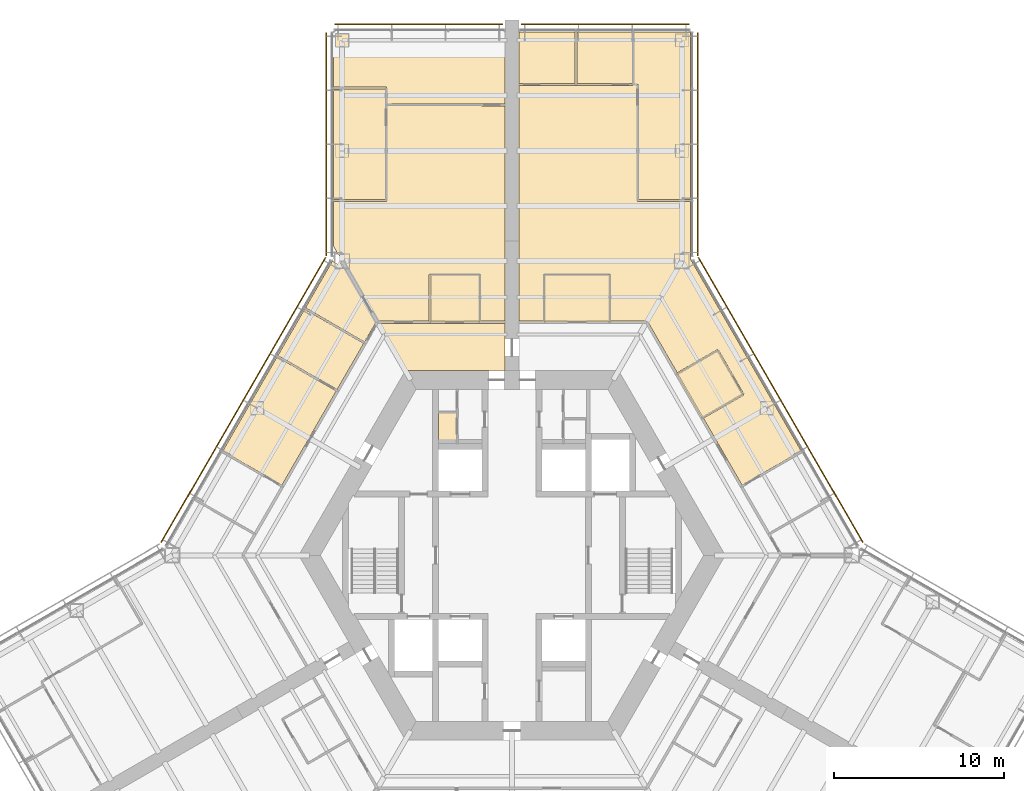
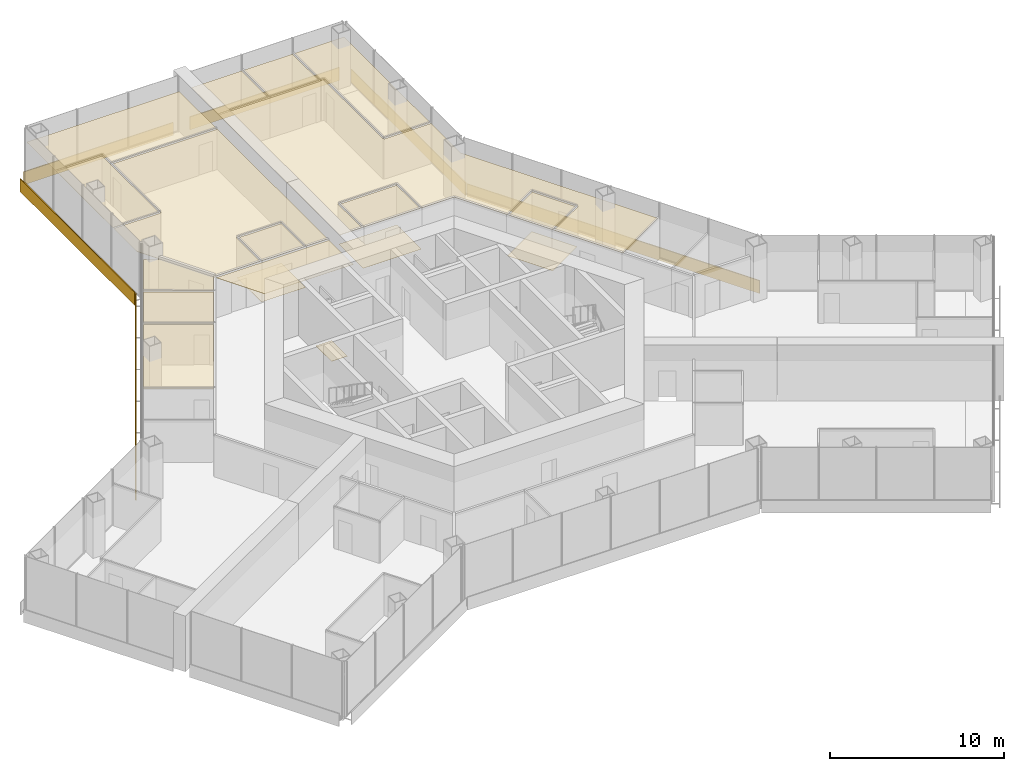
# One storey, part 19 of 19: 18 coverings, 6 shading devices.
"""IFC4 building model written with IfcOpenShell, lengths in metres."""

from ifc_helpers import new_model, si_unit, direction, frame, origin, origin_2d, place, context, subcontext, project, spatial, polyline, rectangle, outline, extrude, material, layer, layer_set, type_object, element, save


model = new_model("IFC4")

# Units and contexts
model_context = context("Model", 3, precision=1e-05, world=origin(), true_north=direction((0.0, 1.0)))
body_context = subcontext(model_context, "Body", "Model", "MODEL_VIEW")
ifc_project = project(units=[si_unit("LENGTHUNIT", "METRE"), si_unit("AREAUNIT", "SQUARE_METRE"), si_unit("VOLUMEUNIT", "CUBIC_METRE"), si_unit("PLANEANGLEUNIT", "RADIAN"), si_unit("MASSUNIT", "GRAM", prefix="KILO")], contexts=[model_context])

# Site, building, storey
site_placement = place(None, origin())
site = spatial("IfcSite", under=ifc_project, at=site_placement, CompositionType="ELEMENT")
building_placement = place(site_placement, origin())
building = spatial("IfcBuilding", under=site, at=building_placement, Name="Kasaneha Research Tower", CompositionType="ELEMENT")
storey_placement = place(building_placement, frame((0.0, 0.0, 96.300048828125)))
storey = spatial("IfcBuildingStorey", under=building, at=storey_placement, Name="L24", CompositionType="ELEMENT", Elevation=96.300048828125)

# Coverings
ifc_material_1 = material(Name="Gypsum ceiling board", Category="gypsum")
ifc_layer_1 = layer(ifc_material_1, 0.02001953125)
ifc_layer_set_1 = layer_set([ifc_layer_1], Name="Suspended ceiling 20")
covering_type_1 = type_object("IfcCoveringType", Name="Suspended ceiling 20", PredefinedType="CEILING", material=ifc_layer_set_1)
covering_1_placement = place(storey_placement, frame((0.0, 0.0, 2.800048828125)))
element("IfcCovering", 1, at=covering_1_placement, inside=storey, type_object=covering_type_1, Name="Ceiling L24-27", PredefinedType="CEILING", context=body_context, shape_type="SweptSolid", body=[
    extrude(outline(polyline([(1.954345703125, 13.800048828125), (1.9501953125, 16.47509765625), (5.70703125, 16.47509765625), (5.70263671875, 13.800048828125), (1.954345703125, 13.800048828125)])), origin(), (0.0, 0.0, 1.0), 0.02001953125),
])
covering_2_placement = place(storey_placement, frame((0.0, 0.0, 2.800048828125)))
element("IfcCovering", 2, at=covering_2_placement, inside=storey, type_object=covering_type_1, Name="Ceiling L24-28", PredefinedType="CEILING", context=body_context, shape_type="SweptSolid", body=[
    extrude(outline(polyline([(9.7783203125, 10.663330078125), (12.0927734375, 12.004638671875), (13.542724609375, 9.4931640625), (11.223876953125, 8.159423828125), (9.7783203125, 10.663330078125)])), origin(), (0.0, 0.0, 1.0), 0.02001953125),
])
covering_3_placement = place(storey_placement, frame((0.0, 0.0, 2.800048828125)))
element("IfcCovering", 3, at=covering_3_placement, inside=storey, type_object=covering_type_1, Name="Ceiling L24-29", PredefinedType="CEILING", context=body_context, shape_type="SweptSolid", body=[
    extrude(outline(polyline([(7.39892578125, 27.719482421875), (7.13330078125, 27.719970703125), (7.13330078125, 27.719970703125), (7.188232421875, 27.719970703125), (7.18359375, 30.800537109375), (7.1337890625, 30.800537109375), (7.1337890625, 30.821044921875), (10.50048828125, 30.820556640625), (10.5, 20.89111328125), (10.5, 20.941162109375), (7.449951171875, 20.941162109375), (7.448974609375, 27.719482421875), (7.39892578125, 27.719482421875), (7.39892578125, 27.719482421875)])), origin(), (0.0, 0.0, 1.0), 0.02001953125),
])
covering_4_placement = place(storey_placement, frame((0.0, 0.0, 2.800048828125)))
element("IfcCovering", 4, at=covering_4_placement, inside=storey, type_object=covering_type_1, Name="Ceiling L24-30", PredefinedType="CEILING", context=body_context, shape_type="SweptSolid", body=[
    extrude(outline(polyline([(7.13330078125, 30.820556640625), (7.13330078125, 30.800537109375), (7.083740234375, 30.800537109375), (7.088134765625, 27.7744140625), (3.821533203125, 27.77490234375), (3.816650390625, 30.800537109375), (3.7666015625, 30.800537109375), (3.7666015625, 30.820556640625), (7.13330078125, 30.820556640625)])), origin(), (0.0, 0.0, 1.0), 0.02001953125),
])
covering_5_placement = place(storey_placement, frame((0.0, 0.0, 2.800048828125)))
element("IfcCovering", 5, at=covering_5_placement, inside=storey, type_object=covering_type_1, Name="Ceiling L24-31", PredefinedType="CEILING", context=body_context, shape_type="SweptSolid", body=[
    extrude(outline(polyline([(3.7666015625, 30.820556640625), (3.7666015625, 30.800537109375), (3.716796875, 30.800537109375), (3.7216796875, 27.774658203125), (0.419921875, 27.7705078125), (0.419921875, 27.720458984375), (0.39990234375, 27.720458984375), (0.39990234375, 30.820556640625), (3.7666015625, 30.820556640625)])), origin(), (0.0, 0.0, 1.0), 0.02001953125),
])
covering_6_placement = place(storey_placement, frame((0.0, 0.0, 2.800048828125)))
element("IfcCovering", 6, at=covering_6_placement, inside=storey, type_object=covering_type_1, Name="Ceiling L24-34", PredefinedType="CEILING", context=body_context, shape_type="SweptSolid", body=[
    extrude(outline(polyline([(13.611572265625, 9.474853515625), (13.611328125, 9.47509765625), (13.654296875, 9.5), (12.154296875, 12.097900390625), (12.111572265625, 12.0732421875), (12.111328125, 12.073486328125), (12.111083984375, 12.0732421875), (12.0859375, 12.1162109375), (9.728271484375, 10.75), (7.989013671875, 13.762451171875), (7.924560546875, 13.725341796875), (7.924560546875, 13.725341796875), (7.924072265625, 13.725341796875), (7.924072265625, 13.800048828125), (5.802734375, 13.800048828125), (5.806884765625, 16.52490234375), (5.757080078125, 16.52490234375), (5.757080078125, 16.525390625), (5.757080078125, 16.525390625), (5.757080078125, 16.574951171875), (1.89990234375, 16.574951171875), (1.89990234375, 16.525390625), (1.899658203125, 16.525390625), (1.899658203125, 16.52490234375), (1.85009765625, 16.52490234375), (1.8544921875, 13.800048828125), (0.419921875, 13.800048828125), (0.419921875, 13.7255859375), (0.39990234375, 13.7255859375), (0.39990234375, 27.719970703125), (0.419921875, 27.719970703125), (0.420166015625, 27.67041015625), (3.766845703125, 27.6748046875), (7.13330078125, 27.674560546875), (7.13330078125, 27.719482421875), (7.39892578125, 27.719482421875), (7.39892578125, 27.719482421875), (7.34912109375, 27.719482421875), (7.35009765625, 20.89111328125), (7.399658203125, 20.89111328125), (7.399658203125, 20.890869140625), (7.39990234375, 20.890869140625), (7.39990234375, 20.841064453125), (10.5, 20.841064453125), (10.5, 17.45458984375), (17.055908203125, 6.09912109375), (17.055908203125, 6.09912109375), (17.03125, 6.14208984375), (13.551513671875, 4.128173828125), (11.27392578125, 8.072998046875), (13.635986328125, 9.431640625), (13.611328125, 9.474609375), (13.611572265625, 9.474853515625)])), origin(), (0.0, 0.0, 1.0), 0.02001953125),
])
covering_7_placement = place(storey_placement, frame((0.0, 0.0, 2.800048828125)))
element("IfcCovering", 7, at=covering_7_placement, inside=storey, type_object=covering_type_1, Name="Ceiling L24-35", PredefinedType="CEILING", context=body_context, shape_type="SweptSolid", body=[
    extrude(outline(polyline([(-0.39990234375, 11.72509765625), (-0.39990234375, 10.875), (-6.278564453125, 10.875), (-7.880859375, 13.64990234375), (-4.833984375, 13.64990234375), (-4.824462890625, 13.64990234375), (-1.904541015625, 13.64990234375), (-1.89501953125, 13.64990234375), (-0.419921875, 13.64990234375), (-0.419921875, 13.72509765625), (-0.39990234375, 13.72509765625), (-0.39990234375, 12.72509765625), (-0.39990234375, 11.72509765625)])), origin(), (0.0, 0.0, 1.0), 0.02001953125),
])
covering_8_placement = place(storey_placement, frame((0.0, 0.0, 2.800048828125)))
element("IfcCovering", 8, at=covering_8_placement, inside=storey, type_object=covering_type_1, Name="Ceiling L24-36", PredefinedType="CEILING", context=body_context, shape_type="SweptSolid", body=[
    extrude(outline(polyline([(-4.774658203125, 13.800048828125), (-4.77880859375, 16.47509765625), (-1.9501953125, 16.47509765625), (-1.954345703125, 13.800048828125), (-4.774658203125, 13.800048828125)])), origin(), (0.0, 0.0, 1.0), 0.02001953125),
])
covering_9_placement = place(storey_placement, frame((0.0, 0.0, 2.800048828125)))
element("IfcCovering", 9, at=covering_9_placement, inside=storey, type_object=covering_type_1, Name="Ceiling L24-37", PredefinedType="CEILING", context=body_context, shape_type="SweptSolid", body=[
    extrude(outline(polyline([(-10.5, 27.460693359375), (-7.449951171875, 27.460693359375), (-7.449951171875, 26.5244140625), (-7.449951171875, 26.514404296875), (-7.449951171875, 20.941162109375), (-10.5, 20.941162109375), (-10.5, 27.460693359375)])), origin(), (0.0, 0.0, 1.0), 0.02001953125),
])
covering_10_placement = place(storey_placement, frame((0.0, 0.0, 2.800048828125)))
element("IfcCovering", 10, at=covering_10_placement, inside=storey, type_object=covering_type_1, Name="Ceiling L24-38", PredefinedType="CEILING", context=body_context, shape_type="SweptSolid", body=[
    extrude(outline(polyline([(-0.419921875, 26.5205078125), (-0.419921875, 26.570556640625), (-7.35009765625, 26.574462890625), (-7.35009765625, 27.5107421875), (-7.39990234375, 27.5107421875), (-7.39990234375, 27.560791015625), (-10.5, 27.560791015625), (-10.5, 27.510986328125), (-10.50048828125, 27.510986328125), (-10.500244140625, 30.821044921875), (-0.39990234375, 30.820556640625), (-0.39990234375, 26.5205078125), (-0.419921875, 26.5205078125)])), origin(), (0.0, 0.0, 1.0), 0.02001953125),
])
covering_11_placement = place(storey_placement, frame((0.0, 0.0, 2.800048828125)))
element("IfcCovering", 11, at=covering_11_placement, inside=storey, type_object=covering_type_1, Name="Ceiling L24-39", PredefinedType="CEILING", context=body_context, shape_type="SweptSolid", body=[
    extrude(outline(polyline([(-1.89990234375, 16.525390625), (-1.89990234375, 16.574951171875), (-4.8291015625, 16.574951171875), (-4.8291015625, 16.525390625), (-4.8291015625, 16.52490234375), (-4.87890625, 16.52490234375), (-4.87451171875, 13.800048828125), (-7.90087890625, 13.800048828125), (-7.90087890625, 13.725341796875), (-7.92431640625, 13.725341796875), (-10.5, 18.1865234375), (-10.5, 20.841064453125), (-7.39990234375, 20.841064453125), (-7.39990234375, 20.890869140625), (-7.399658203125, 20.890869140625), (-7.399658203125, 20.89111328125), (-7.35009765625, 20.89111328125), (-7.35009765625, 26.474365234375), (-0.419921875, 26.470458984375), (-0.419921875, 26.52001953125), (-0.39990234375, 26.52001953125), (-0.39990234375, 13.7255859375), (-0.419921875, 13.7255859375), (-0.419921875, 13.800048828125), (-1.8544921875, 13.800048828125), (-1.85009765625, 16.52490234375), (-1.899658203125, 16.52490234375), (-1.899658203125, 16.525390625), (-1.89990234375, 16.525390625)])), origin(), (0.0, 0.0, 1.0), 0.02001953125),
])
covering_12_placement = place(storey_placement, frame((0.0, 0.0, 2.800048828125)))
element("IfcCovering", 12, at=covering_12_placement, inside=storey, type_object=covering_type_1, Name="Ceiling L24-45", PredefinedType="CEILING", context=body_context, shape_type="SweptSolid", body=[
    extrude(outline(polyline([(-13.809814453125, 11.7216796875), (-12.211669921875, 14.489990234375), (-8.732177734375, 12.475341796875), (-10.30078125, 9.758544921875), (-13.767578125, 11.755126953125), (-13.79248046875, 11.711669921875), (-13.809814453125, 11.7216796875)])), origin(), (0.0, 0.0, 1.0), 0.02001953125),
])
covering_13_placement = place(storey_placement, frame((0.0, 0.0, 2.800048828125)))
element("IfcCovering", 13, at=covering_13_placement, inside=storey, type_object=covering_type_1, Name="Ceiling L24-46", PredefinedType="CEILING", context=body_context, shape_type="SweptSolid", body=[
    extrude(outline(polyline([(-10.578369140625, 17.318603515625), (-9.709228515625, 16.81689453125), (-7.924072265625, 13.72509765625), (-7.935791015625, 13.705078125), (-8.000732421875, 13.742431640625), (-8.68212890625, 12.56201171875), (-12.16162109375, 14.576416015625), (-12.1865234375, 14.533203125), (-12.1865234375, 14.533203125), (-10.578369140625, 17.318603515625)])), origin(), (0.0, 0.0, 1.0), 0.02001953125),
])
covering_14_placement = place(storey_placement, frame((0.0, 0.0, 2.800048828125)))
element("IfcCovering", 14, at=covering_14_placement, inside=storey, type_object=covering_type_1, Name="Ceiling L24-48", PredefinedType="CEILING", context=body_context, shape_type="SweptSolid", body=[
    extrude(outline(polyline([(-17.055908203125, 6.09912109375), (-13.81005859375, 11.72119140625), (-13.792724609375, 11.711181640625), (-13.8173828125, 11.66845703125), (-10.350830078125, 9.671875), (-13.551513671875, 4.128173828125), (-17.03125, 6.14208984375), (-17.055908203125, 6.09912109375), (-17.055908203125, 6.09912109375)])), origin(), (0.0, 0.0, 1.0), 0.02001953125),
])

# Shading devices
ifc_material_2 = material(Name="Terracotta", Category="masonry")
ifc_layer_2 = layer(ifc_material_2, 0.06005859375)
ifc_layer_set_2 = layer_set([ifc_layer_2], Name="Terracotta baguette screen")
shading_device_type = type_object("IfcShadingDeviceType", Name="Terracotta baguette screen", PredefinedType="USERDEFINED", material=ifc_layer_set_2)
shading_device_1_placement = place(storey_placement, frame((15.82275390625, 9.13525390625, -0.449951171875), z_axis=(0.0, 0.0, 1.0), x_axis=(-0.49999996188, 0.866025425793, 0.0)))
element("IfcShadingDevice", 15, at=shading_device_1_placement, inside=storey, type_object=shading_device_type, Name="Baguette screen L24 07", ObjectType="TERRACOTTA BAGUETTE SCREEN", PredefinedType="USERDEFINED", context=body_context, shape_type="SweptSolid", body=[
    extrude(rectangle(XDim=19.37841796875, YDim=0.06005859375, at=origin_2d()), origin(), (0.0, 0.0, 1.0), 0.89990234375),
])
shading_device_2_placement = place(storey_placement, frame((10.949951171875, 24.200927734375, -0.449951171875), z_axis=(0.0, 0.0, 1.0), x_axis=(0.0, 1.0, 0.0)))
element("IfcShadingDevice", 16, at=shading_device_2_placement, inside=storey, type_object=shading_device_type, Name="Baguette screen L24 08", ObjectType="TERRACOTTA BAGUETTE SCREEN", PredefinedType="USERDEFINED", context=body_context, shape_type="SweptSolid", body=[
    extrude(rectangle(XDim=13.13916015625, YDim=0.06005859375, at=origin_2d()), origin(), (0.0, 0.0, 1.0), 0.89990234375),
])
for number, where, z_axis, x_axis, name in (
    (17, (5.5, 31.2705078125, -0.449951171875), (0.0, 0.0, 1.0), (-1.0, 0.0, 0.0), "Baguette screen L24 09"),
    (18, (-5.5, 31.2705078125, -0.449951171875), (0.0, 0.0, 1.0), (-1.0, 0.0, 0.0), "Baguette screen L24 10"),
):
    element("IfcShadingDevice", number, at=place(storey_placement, frame(where, z_axis=z_axis, x_axis=x_axis)), inside=storey, type_object=shading_device_type, Name=name, ObjectType="TERRACOTTA BAGUETTE SCREEN", PredefinedType="USERDEFINED", context=body_context, shape_type="SweptSolid", body=[
        extrude(rectangle(XDim=9.89990234375, YDim=0.06005859375, at=origin_2d()), origin(), (0.0, 0.0, 1.0), 0.89990234375),
    ])
shading_device_3_placement = place(storey_placement, frame((-10.949951171875, 24.200927734375, -0.449951171875), z_axis=(0.0, 0.0, 1.0), x_axis=(0.0, -1.0, 0.0)))
element("IfcShadingDevice", 19, at=shading_device_3_placement, inside=storey, type_object=shading_device_type, Name="Baguette screen L24 11", ObjectType="TERRACOTTA BAGUETTE SCREEN", PredefinedType="USERDEFINED", context=body_context, shape_type="SweptSolid", body=[
    extrude(rectangle(XDim=13.13916015625, YDim=0.06005859375, at=origin_2d()), origin(), (0.0, 0.0, 1.0), 0.89990234375),
])
shading_device_4_placement = place(storey_placement, frame((-15.82275390625, 9.13525390625, -0.449951171875), z_axis=(0.0, 0.0, 1.0), x_axis=(-0.49999996188, -0.866025425793, 0.0)))
element("IfcShadingDevice", 20, at=shading_device_4_placement, inside=storey, type_object=shading_device_type, Name="Baguette screen L24 12", ObjectType="TERRACOTTA BAGUETTE SCREEN", PredefinedType="USERDEFINED", context=body_context, shape_type="SweptSolid", body=[
    extrude(rectangle(XDim=19.37841796875, YDim=0.06005859375, at=origin_2d()), origin(), (0.0, 0.0, 1.0), 0.89990234375),
])

# Coverings
ifc_material_3 = material(Name="Vinyl sheet flooring", Category="plastic")
ifc_layer_3 = layer(ifc_material_3, 0.0048828125)
ifc_layer_set_3 = layer_set([ifc_layer_3], Name="Wet room sheet flooring 5")
covering_type_2 = type_object("IfcCoveringType", Name="Wet room sheet flooring 5", PredefinedType="FLOORING", material=ifc_layer_set_3)
covering_15_placement = place(storey_placement, origin())
element("IfcCovering", 21, at=covering_15_placement, inside=storey, type_object=covering_type_2, Name="Floor finish L24-07", PredefinedType="FLOORING", context=body_context, shape_type="SweptSolid", body=[
    extrude(outline(polyline([(-4.324951171875, 6.574951171875), (-4.324951171875, 8.375), (-3.27490234375, 8.375), (-3.27490234375, 6.574951171875), (-4.324951171875, 6.574951171875)])), origin(), (0.0, 0.0, 1.0), 0.0048828125),
])
covering_16_placement = place(storey_placement, origin())
element("IfcCovering", 22, at=covering_16_placement, inside=storey, type_object=covering_type_2, Name="Floor finish L24-27", PredefinedType="FLOORING", context=body_context, shape_type="SweptSolid", body=[
    extrude(outline(polyline([(1.89990234375, 16.52490234375), (5.757080078125, 16.52490234375), (5.757080078125, 13.72509765625), (1.89990234375, 13.72509765625), (1.89990234375, 16.52490234375)])), origin(), (0.0, 0.0, 1.0), 0.0048828125),
])
covering_17_placement = place(storey_placement, origin())
element("IfcCovering", 23, at=covering_17_placement, inside=storey, type_object=covering_type_2, Name="Floor finish L24-28", PredefinedType="FLOORING", context=body_context, shape_type="SweptSolid", body=[
    extrude(outline(polyline([(12.111083984375, 12.072998046875), (13.611083984375, 9.474853515625), (11.186279296875, 8.074951171875), (9.686279296875, 10.673095703125), (12.111083984375, 12.072998046875)])), origin(), (0.0, 0.0, 1.0), 0.0048828125),
])
covering_18_placement = place(storey_placement, origin())
element("IfcCovering", 24, at=covering_18_placement, inside=storey, type_object=covering_type_2, Name="Floor finish L24-36", PredefinedType="FLOORING", context=body_context, shape_type="SweptSolid", body=[
    extrude(outline(polyline([(-4.8291015625, 16.52490234375), (-1.89990234375, 16.52490234375), (-1.89990234375, 13.72509765625), (-4.8291015625, 13.72509765625), (-4.8291015625, 16.52490234375)])), origin(), (0.0, 0.0, 1.0), 0.0048828125),
])

save(model, "model.ifc")
